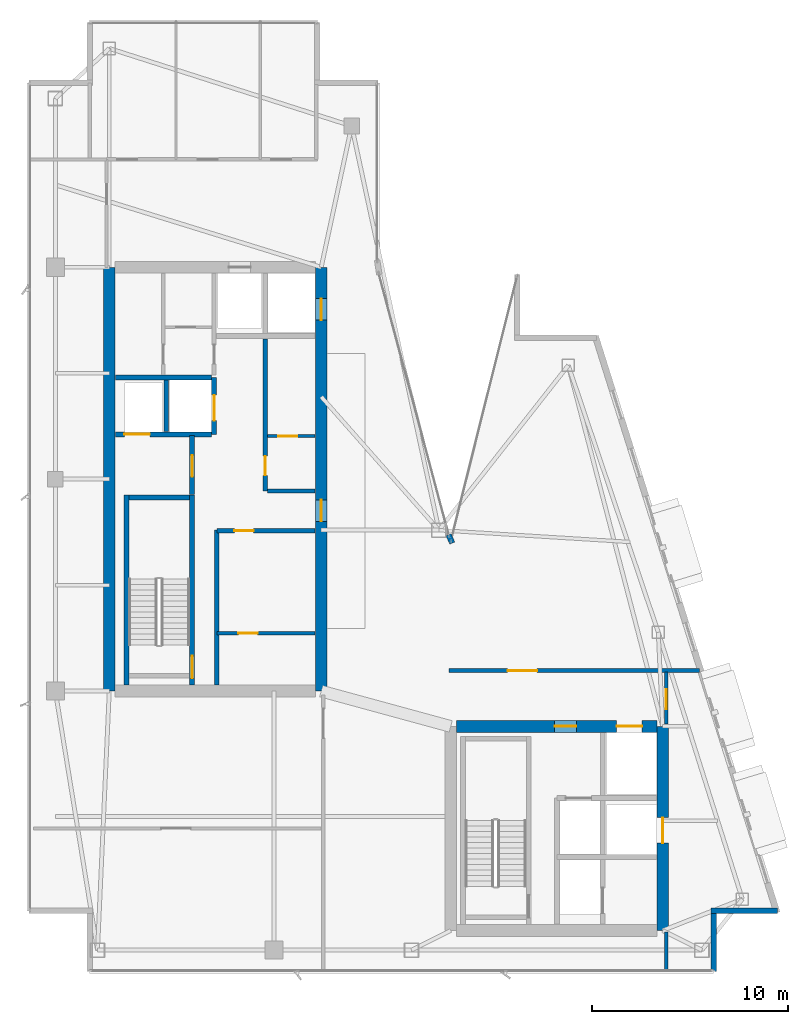
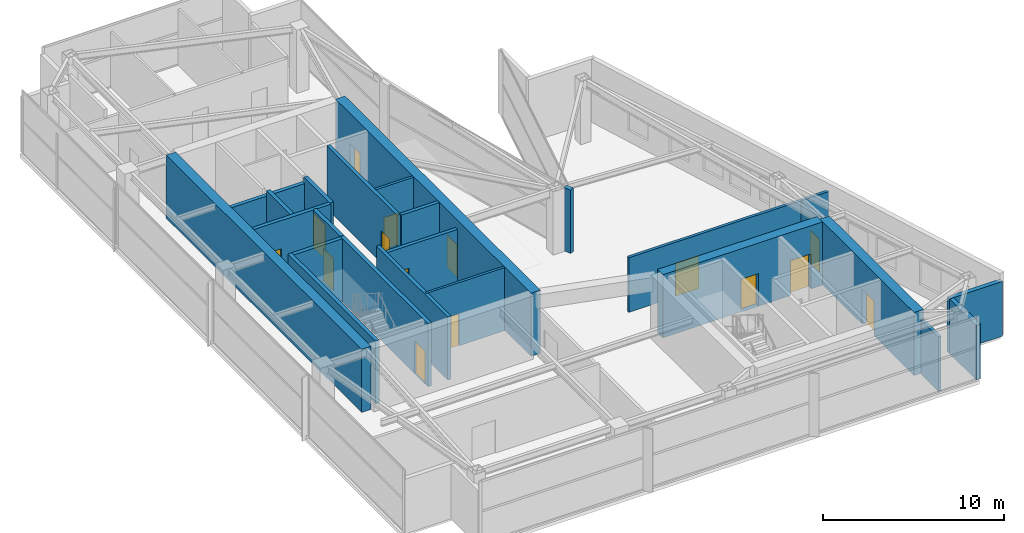
# One storey, part 21 of 25: 24 walls, 15 doors, 15 openings.
"""IFC4 building model written with IfcOpenShell, lengths in metres."""

from ifc_helpers import new_model, si_unit, direction, frame, frame_2d, origin, place, context, subcontext, project, spatial, rectangle, extrude, material, layer, layer_set, type_object, element, fill, save


model = new_model("IFC4")

# Units and contexts
model_context = context("Model", 3, precision=1e-05, world=origin(), true_north=direction((0.0, 1.0)))
body_context = subcontext(model_context, "Body", "Model", "MODEL_VIEW")
ifc_project = project(units=[si_unit("LENGTHUNIT", "METRE"), si_unit("AREAUNIT", "SQUARE_METRE"), si_unit("VOLUMEUNIT", "CUBIC_METRE"), si_unit("PLANEANGLEUNIT", "RADIAN"), si_unit("MASSUNIT", "GRAM", prefix="KILO")], contexts=[model_context])

# Site, building, storey
site_placement = place(None, origin())
site = spatial("IfcSite", under=ifc_project, at=site_placement, CompositionType="ELEMENT")
building_placement = place(site_placement, origin())
building = spatial("IfcBuilding", under=site, at=building_placement, Name="Calvorn Quay Hotel", CompositionType="ELEMENT")
storey_placement = place(building_placement, frame((0.0, 0.0, 311.5)))
storey = spatial("IfcBuildingStorey", under=building, at=storey_placement, Name="L77", CompositionType="ELEMENT", Elevation=311.5)

# Wall
ifc_material_1 = material(Name="Concrete C45", Category="concrete")
ifc_layer_1 = layer(ifc_material_1, 0.60009765625)
ifc_layer_set_1 = layer_set([ifc_layer_1], Name="WL-CORE-600")
wall_type_1 = type_object("IfcWallType", Name="WL-CORE-600", PredefinedType="SHEAR", material=ifc_layer_set_1)
wall_1_placement = place(storey_placement, frame((4.199951171875, 16.800048828125, 0.0), z_axis=(0.0, 0.0, 1.0), x_axis=(0.0, 1.0, 0.0)))
element("IfcWall", 1, at=wall_1_placement, inside=storey, type_object=wall_type_1, Name="West Core Shear Wall W (L77)", PredefinedType="SHEAR", context=body_context, shape_type="SweptSolid", body=[
    extrude(rectangle(XDim=21.599853515625, YDim=0.60009765625, at=frame_2d((10.7998046875, 0.0))), origin(), (0.0, 0.0, 1.0), 4.260009765625),
])

# Wall, openings, doors
wall_2_placement = place(storey_placement, frame((15.0, 16.800048828125, 0.0), z_axis=(0.0, 0.0, 1.0), x_axis=(0.0, 1.0, 0.0)))
wall_2 = element("IfcWall", 2, at=wall_2_placement, inside=storey, type_object=wall_type_1, Name="West Core Shear Wall E (L77)", PredefinedType="SHEAR", context=body_context, shape_type="SweptSolid", body=[
    extrude(rectangle(XDim=21.599853515625, YDim=0.60009765625, at=frame_2d((10.7998046875, 0.0))), origin(), (0.0, 0.0, 1.0), 4.260009765625),
])
opening_1_placement = place(wall_2_placement, frame((8.64990234375, 0.0, 0.0)))
opening_1 = element("IfcOpeningElement", 3, at=opening_1_placement, cuts=wall_2, Name="Opening D-L77-CW1", PredefinedType="OPENING", context=body_context, shape_type="SweptSolid", body=[
    extrude(rectangle(XDim=1.10009765625, YDim=2.199951171875, at=frame_2d((0.550048828125, 1.10009765625))), frame((0.0, 0.31005859375, 0.0), z_axis=(0.0, -1.0, 0.0), x_axis=(1.0, 0.0, 0.0)), (0.0, 0.0, 1.0), 0.6201171875),
])
opening_2_placement = place(wall_2_placement, frame((18.89990234375, 0.0, 0.0)))
opening_2 = element("IfcOpeningElement", 4, at=opening_2_placement, cuts=wall_2, Name="Opening LD-L77-H1", PredefinedType="OPENING", context=body_context, shape_type="SweptSolid", body=[
    extrude(rectangle(XDim=1.10009765625, YDim=2.199951171875, at=frame_2d((0.550048828125, 1.10009765625))), frame((0.0, 0.31005859375, 0.0), z_axis=(0.0, -1.0, 0.0), x_axis=(1.0, 0.0, 0.0)), (0.0, 0.0, 1.0), 0.6201171875),
])
ifc_material_2 = material(Name="Smoke-Sealed Steel Class A Fire Door", Category="steel")
door_type_1 = type_object("IfcDoorType", Name="DR-FFLOBBY-1100", OperationType="NOTDEFINED", PredefinedType="DOOR", material=ifc_material_2)
door_1_placement = place(opening_1_placement, origin())
door_1 = element("IfcDoor", 5, at=door_1_placement, inside=storey, type_object=door_type_1, Name="West Core Vestibule Fire Door (L77)", OperationType="SINGLE_SWING_RIGHT", OverallHeight=2.199951171875, OverallWidth=1.10009765625, PredefinedType="DOOR", context=body_context, shape_type="SweptSolid", body=[
    extrude(rectangle(XDim=1.10009765625, YDim=2.199951171875, at=frame_2d((0.550048828125, 1.10009765625))), frame((0.0, 0.02490234375, 0.0), z_axis=(0.0, -1.0, 0.0), x_axis=(1.0, 0.0, 0.0)), (0.0, 0.0, 1.0), 0.050048828125),
])
fill(opening_1, door_1)
ifc_material_3 = material(Name="Brushed Stainless Steel Sliding Lift Landing Door", Category="steel")
door_type_2 = type_object("IfcDoorType", Name="DR-LIFT-PASS-1100", OperationType="NOTDEFINED", PredefinedType="DOOR", material=ifc_material_3)
door_2_placement = place(opening_2_placement, origin())
door_2 = element("IfcDoor", 6, at=door_2_placement, inside=storey, type_object=door_type_2, Name="High-Rise Lift PL-H1 Landing Door (L77)", OperationType="DOUBLE_DOOR_SLIDING", OverallHeight=2.199951171875, OverallWidth=1.10009765625, PredefinedType="DOOR", context=body_context, shape_type="SweptSolid", body=[
    extrude(rectangle(XDim=1.10009765625, YDim=2.199951171875, at=frame_2d((0.550048828125, 1.10009765625))), frame((0.0, 0.02490234375, 0.0), z_axis=(0.0, -1.0, 0.0), x_axis=(1.0, 0.0, 0.0)), (0.0, 0.0, 1.0), 0.050048828125),
])
fill(opening_2, door_2)

# Wall, opening, door
wall_3_placement = place(storey_placement, frame((32.39990234375, 4.60009765625, 0.0), z_axis=(0.0, 0.0, 1.0), x_axis=(0.0, 1.0, 0.0)))
wall_3 = element("IfcWall", 7, at=wall_3_placement, inside=storey, type_object=wall_type_1, Name="East Core Shear Wall E (L77)", PredefinedType="SHEAR", context=body_context, shape_type="SweptSolid", body=[
    extrude(rectangle(XDim=10.39990234375, YDim=0.60009765625, at=frame_2d((5.199951171875, 0.0))), origin(), (0.0, 0.0, 1.0), 4.260009765625),
])
opening_3_placement = place(wall_3_placement, frame((4.449951171875, 0.0, 0.0)))
opening_3 = element("IfcOpeningElement", 8, at=opening_3_placement, cuts=wall_3, Name="Opening LD-L77-OB2", PredefinedType="OPENING", context=body_context, shape_type="SweptSolid", body=[
    extrude(rectangle(XDim=1.300048828125, YDim=2.35009765625, at=frame_2d((0.64990234375, 1.175048828125))), frame((0.0, 0.31005859375, 0.0), z_axis=(0.0, -1.0, 0.0), x_axis=(1.0, 0.0, 0.0)), (0.0, 0.0, 1.0), 0.6201171875),
])
ifc_material_4 = material(Name="Champagne-Bronze Sliding Express Lift Landing Door")
door_type_3 = type_object("IfcDoorType", Name="DR-LIFT-SHUTTLE-1300", OperationType="NOTDEFINED", PredefinedType="DOOR", material=ifc_material_4)
door_3_placement = place(opening_3_placement, origin())
door_3 = element("IfcDoor", 9, at=door_3_placement, inside=storey, type_object=door_type_3, Name="Observation Shuttle PL-OB2 Landing Door (L77)", OperationType="DOUBLE_DOOR_SLIDING", OverallHeight=2.35009765625, OverallWidth=1.300048828125, PredefinedType="DOOR", context=body_context, shape_type="SweptSolid", body=[
    extrude(rectangle(XDim=1.300048828125, YDim=2.35009765625, at=frame_2d((0.64990234375, 1.175048828125))), frame((0.0, 0.02490234375, 0.0), z_axis=(0.0, -1.0, 0.0), x_axis=(1.0, 0.0, 0.0)), (0.0, 0.0, 1.0), 0.050048828125),
])
fill(opening_3, door_3)

# Wall, openings, doors
wall_4_placement = place(storey_placement, frame((21.89990234375, 15.0, 0.0), z_axis=(0.0, 0.0, 1.0), x_axis=(1.0, 0.0, 0.0)))
wall_4 = element("IfcWall", 10, at=wall_4_placement, inside=storey, type_object=wall_type_1, Name="East Core Shear Wall N (L77)", PredefinedType="SHEAR", context=body_context, shape_type="SweptSolid", body=[
    extrude(rectangle(XDim=10.2001953125, YDim=0.60009765625, at=frame_2d((5.10009765625, 0.0))), origin(), (0.0, 0.0, 1.0), 4.260009765625),
])
opening_4_placement = place(wall_4_placement, frame((5.0, 0.0, 0.0)))
opening_4 = element("IfcOpeningElement", 11, at=opening_4_placement, cuts=wall_4, Name="Opening D-L77-FLE", PredefinedType="OPENING", context=body_context, shape_type="SweptSolid", body=[
    extrude(rectangle(XDim=1.10009765625, YDim=2.199951171875, at=frame_2d((0.550048828125, 1.10009765625))), frame((0.0, 0.31005859375, 0.0), z_axis=(0.0, -1.0, 0.0), x_axis=(1.0, 0.0, 0.0)), (0.0, 0.0, 1.0), 0.6201171875),
])
opening_5_placement = place(wall_4_placement, frame((8.14990234375, 0.0, 0.0)))
opening_5 = element("IfcOpeningElement", 12, at=opening_5_placement, cuts=wall_4, Name="Opening LD-L77-OB1", PredefinedType="OPENING", context=body_context, shape_type="SweptSolid", body=[
    extrude(rectangle(XDim=1.300048828125, YDim=2.35009765625, at=frame_2d((0.64990234375, 1.175048828125))), frame((0.0, 0.31005859375, 0.0), z_axis=(0.0, -1.0, 0.0), x_axis=(1.0, 0.0, 0.0)), (0.0, 0.0, 1.0), 0.6201171875),
])
door_4_placement = place(opening_4_placement, origin())
door_4 = element("IfcDoor", 13, at=door_4_placement, inside=storey, type_object=door_type_1, Name="East Firefighting Lobby Fire Door (L77)", OperationType="SINGLE_SWING_LEFT", OverallHeight=2.199951171875, OverallWidth=1.10009765625, PredefinedType="DOOR", context=body_context, shape_type="SweptSolid", body=[
    extrude(rectangle(XDim=1.10009765625, YDim=2.199951171875, at=frame_2d((0.550048828125, 1.10009765625))), frame((0.0, 0.02490234375, 0.0), z_axis=(0.0, -1.0, 0.0), x_axis=(1.0, 0.0, 0.0)), (0.0, 0.0, 1.0), 0.050048828125),
])
fill(opening_4, door_4)
door_5_placement = place(opening_5_placement, origin())
door_5 = element("IfcDoor", 14, at=door_5_placement, inside=storey, type_object=door_type_3, Name="Observation Shuttle PL-OB1 Landing Door (L77)", OperationType="DOUBLE_DOOR_SLIDING", OverallHeight=2.35009765625, OverallWidth=1.300048828125, PredefinedType="DOOR", context=body_context, shape_type="SweptSolid", body=[
    extrude(rectangle(XDim=1.300048828125, YDim=2.35009765625, at=frame_2d((0.64990234375, 1.175048828125))), frame((0.0, 0.02490234375, 0.0), z_axis=(0.0, -1.0, 0.0), x_axis=(1.0, 0.0, 0.0)), (0.0, 0.0, 1.0), 0.050048828125),
])
fill(opening_5, door_5)

# Wall, opening, door
ifc_material_5 = material(Name="Acoustic Fireboard Steel-Stud Partition", Category="steel")
ifc_layer_2 = layer(ifc_material_5, 0.179931640625)
ifc_layer_set_2 = layer_set([ifc_layer_2], Name="WL-CORR-FIRE-180")
wall_type_2 = type_object("IfcWallType", Name="WL-CORR-FIRE-180", PredefinedType="PARTITIONING", material=ifc_layer_set_2)
wall_5_placement = place(storey_placement, frame((21.5, 17.85009765625, 0.0), z_axis=(0.0, 0.0, 1.0), x_axis=(1.0, 0.0, 0.0)))
wall_5 = element("IfcWall", 15, at=wall_5_placement, inside=storey, type_object=wall_type_2, Name="Partition Wall L77-WL-SK-SE-N", PredefinedType="PARTITIONING", context=body_context, shape_type="SweptSolid", body=[
    extrude(rectangle(XDim=12.780029296875, YDim=0.179931640625, at=frame_2d((6.39013671875, 0.0))), origin(), (0.0, 0.0, 1.0), 3.68994140625),
])
opening_6_placement = place(wall_5_placement, frame((3.0, 0.0, 0.0)))
opening_6 = element("IfcOpeningElement", 16, at=opening_6_placement, cuts=wall_5, Name="Opening D-L77-A2", PredefinedType="OPENING", context=body_context, shape_type="SweptSolid", body=[
    extrude(rectangle(XDim=1.5, YDim=2.219970703125, at=frame_2d((0.75, 1.10986328125))), frame((0.0, 0.099853515625, 0.0), z_axis=(0.0, -1.0, 0.0), x_axis=(1.0, 0.0, 0.0)), (0.0, 0.0, 1.0), 0.199951171875),
])
ifc_material_6 = material(Name="Solid-Core Walnut Double Suite Entry Door")
door_type_4 = type_object("IfcDoorType", Name="DR-SUITE-DBL-1500", OperationType="NOTDEFINED", PredefinedType="DOOR", material=ifc_material_6)
door_6_placement = place(opening_6_placement, origin())
door_6 = element("IfcDoor", 17, at=door_6_placement, inside=storey, type_object=door_type_4, Name="North Gallery Door", OperationType="SINGLE_SWING_LEFT", OverallHeight=2.219970703125, OverallWidth=1.5, PredefinedType="DOOR", context=body_context, shape_type="SweptSolid", body=[
    extrude(rectangle(XDim=1.5, YDim=2.219970703125, at=frame_2d((0.75, 1.10986328125))), frame((0.0, 0.02490234375, 0.0), z_axis=(0.0, -1.0, 0.0), x_axis=(1.0, 0.0, 0.0)), (0.0, 0.0, 1.0), 0.050048828125),
])
fill(opening_6, door_6)

wall_6_placement = place(storey_placement, frame((32.580078125, 15.1201171875, 0.0), z_axis=(0.0, 0.0, 1.0), x_axis=(0.0, 1.0, 0.0)))
wall_6 = element("IfcWall", 18, at=wall_6_placement, inside=storey, type_object=wall_type_2, Name="Partition Wall L77-WL-SK-SE-W", PredefinedType="PARTITIONING", context=body_context, shape_type="SweptSolid", body=[
    extrude(rectangle(XDim=2.659912109375, YDim=0.179931640625, at=frame_2d((1.330078125, 0.0))), origin(), (0.0, 0.0, 1.0), 3.68994140625),
])
opening_7_placement = place(wall_6_placement, frame((0.75, 0.0, 0.0)))
opening_7 = element("IfcOpeningElement", 19, at=opening_7_placement, cuts=wall_6, Name="Opening D-L77-A3", PredefinedType="OPENING", context=body_context, shape_type="SweptSolid", body=[
    extrude(rectangle(XDim=1.02001953125, YDim=2.199951171875, at=frame_2d((0.510009765625, 1.10009765625))), frame((0.0, 0.099853515625, 0.0), z_axis=(0.0, -1.0, 0.0), x_axis=(1.0, 0.0, 0.0)), (0.0, 0.0, 1.0), 0.199951171875),
])
ifc_material_7 = material(Name="Solid-Core Walnut Veneer Hotel Fire Door")
door_type_5 = type_object("IfcDoorType", Name="DR-GUEST-ENTRY-1020", OperationType="NOTDEFINED", PredefinedType="DOOR", material=ifc_material_7)
door_7_placement = place(opening_7_placement, origin())
door_7 = element("IfcDoor", 20, at=door_7_placement, inside=storey, type_object=door_type_5, Name="East Lounge Door", OperationType="SINGLE_SWING_RIGHT", OverallHeight=2.199951171875, OverallWidth=1.02001953125, PredefinedType="DOOR", context=body_context, shape_type="SweptSolid", body=[
    extrude(rectangle(XDim=1.02001953125, YDim=2.199951171875, at=frame_2d((0.510009765625, 1.10009765625))), frame((0.0, 0.02490234375, 0.0), z_axis=(0.0, -1.0, 0.0), x_axis=(1.0, 0.0, 0.0)), (0.0, 0.0, 1.0), 0.050048828125),
])
fill(opening_7, door_7)

# Walls
wall_7_placement = place(storey_placement, frame((32.580078125, 2.60009765625, 0.0), z_axis=(0.0, 0.0, 1.0), x_axis=(0.0, 1.0, 0.0)))
element("IfcWall", 21, at=wall_7_placement, inside=storey, type_object=wall_type_2, Name="Partition Wall L77-WL-SK-SE-WS", PredefinedType="PARTITIONING", context=body_context, shape_type="SweptSolid", body=[
    extrude(rectangle(XDim=1.919921875, YDim=0.179931640625, at=frame_2d((0.9599609375, 0.0))), origin(), (0.0, 0.0, 1.0), 3.68994140625),
])
ifc_material_8 = material(Name="Concrete C40", Category="concrete")
ifc_layer_3 = layer(ifc_material_8, 0.320068359375)
ifc_layer_set_3 = layer_set([ifc_layer_3], Name="WL-EXT-SPANDREL-320")
wall_type_3 = type_object("IfcWallType", Name="WL-EXT-SPANDREL-320", PredefinedType="SOLIDWALL", material=ifc_layer_set_3)
wall_8_placement = place(storey_placement, frame((21.679931640625, 24.340087890625, 0.0), z_axis=(0.0, 0.0, 1.0), x_axis=(-0.40758134973, 0.913168901875, 0.0)))
element("IfcWall", 22, at=wall_8_placement, inside=storey, type_object=wall_type_3, Name="Inner Court Corner Pier L77-ICJ1", PredefinedType="SOLIDWALL", context=body_context, shape_type="SweptSolid", body=[
    extrude(rectangle(XDim=0.470703125, YDim=0.280029296875, at=frame_2d((0.2353515625, 0.0))), origin(), (0.0, 0.0, 1.0), 4.260009765625),
])
wall_9_placement = place(storey_placement, frame((35.0, 2.52001953125, 0.0), z_axis=(0.0, 0.0, 1.0), x_axis=(0.0, 1.0, 0.0)))
element("IfcWall", 23, at=wall_9_placement, inside=storey, type_object=wall_type_3, Name="Notched Corner Spandrel L77-SE1", PredefinedType="SOLIDWALL", context=body_context, shape_type="SweptSolid", body=[
    extrude(rectangle(XDim=2.93994140625, YDim=0.280029296875, at=frame_2d((1.469970703125, 0.0))), origin(), (0.0, 0.0, 1.0), 3.68994140625),
])
wall_10_placement = place(storey_placement, frame((34.860107421875, 5.60009765625, 0.0), z_axis=(0.0, 0.0, 1.0), x_axis=(1.0, 0.0, 0.0)))
element("IfcWall", 24, at=wall_10_placement, inside=storey, type_object=wall_type_3, Name="Notched Corner Spandrel L77-SE2", PredefinedType="SOLIDWALL", context=body_context, shape_type="SweptSolid", body=[
    extrude(rectangle(XDim=3.3798828125, YDim=0.280029296875, at=frame_2d((1.68994140625, 0.0))), origin(), (0.0, 0.0, 1.0), 3.68994140625),
])

# Wall, opening, door
ifc_material_9 = material(Name="Double-Stud Acoustic Gypsum Partition")
ifc_layer_4 = layer(ifc_material_9, 0.159912109375)
ifc_layer_set_4 = layer_set([ifc_layer_4], Name="WL-INTERSUITE-160")
wall_type_4 = type_object("IfcWallType", Name="WL-INTERSUITE-160", PredefinedType="PARTITIONING", material=ifc_layer_set_4)
wall_11_placement = place(storey_placement, frame((9.679931640625, 19.75, 0.0), z_axis=(0.0, 0.0, 1.0), x_axis=(1.0, 0.0, 0.0)))
wall_11 = element("IfcWall", 25, at=wall_11_placement, inside=storey, type_object=wall_type_4, Name="Partition Wall L77-WL-CWW-FR-SPLIT", PredefinedType="PARTITIONING", context=body_context, shape_type="SweptSolid", body=[
    extrude(rectangle(XDim=5.0, YDim=0.159912109375, at=frame_2d((2.5, 0.0))), origin(), (0.0, 0.0, 1.0), 4.260009765625),
])
opening_8_placement = place(wall_11_placement, frame((1.10009765625, 0.0, 0.0)))
opening_8 = element("IfcOpeningElement", 26, at=opening_8_placement, cuts=wall_11, Name="Opening D-L77-FRL1", PredefinedType="OPENING", context=body_context, shape_type="SweptSolid", body=[
    extrude(rectangle(XDim=0.97998046875, YDim=2.14990234375, at=frame_2d((0.489990234375, 1.074951171875))), frame((0.0, 0.08984375, 0.0), z_axis=(0.0, -1.0, 0.0), x_axis=(1.0, 0.0, 0.0)), (0.0, 0.0, 1.0), 0.179931640625),
])
ifc_material_10 = material(Name="Painted Steel Housekeeping/Riser Fire Door", Category="steel")
door_type_6 = type_object("IfcDoorType", Name="DR-SERVICE-980", OperationType="NOTDEFINED", PredefinedType="DOOR", material=ifc_material_10)
door_8_placement = place(opening_8_placement, origin())
door_8 = element("IfcDoor", 27, at=door_8_placement, inside=storey, type_object=door_type_6, Name="Linen Store Room Door (L77)", OperationType="SINGLE_SWING_LEFT", OverallHeight=2.14990234375, OverallWidth=0.97998046875, PredefinedType="DOOR", context=body_context, shape_type="SweptSolid", body=[
    extrude(rectangle(XDim=0.97998046875, YDim=2.14990234375, at=frame_2d((0.489990234375, 1.074951171875))), frame((0.0, 0.02490234375, 0.0), z_axis=(0.0, -1.0, 0.0), x_axis=(1.0, 0.0, 0.0)), (0.0, 0.0, 1.0), 0.050048828125),
])
fill(opening_8, door_8)

wall_12_placement = place(storey_placement, frame((12.25, 29.800048828125, 0.0), z_axis=(0.0, 0.0, 1.0), x_axis=(1.0, 0.0, 0.0)))
wall_12 = element("IfcWall", 28, at=wall_12_placement, inside=storey, type_object=wall_type_4, Name="Partition Wall L77-WL-CWW-FM-SPLIT", PredefinedType="PARTITIONING", context=body_context, shape_type="SweptSolid", body=[
    extrude(rectangle(XDim=2.429931640625, YDim=0.159912109375, at=frame_2d((1.21484375, 0.0))), origin(), (0.0, 0.0, 1.0), 4.260009765625),
])
opening_9_placement = place(wall_12_placement, frame((0.550048828125, 0.0, 0.0)))
opening_9 = element("IfcOpeningElement", 29, at=opening_9_placement, cuts=wall_12, Name="Opening D-L77-FM2", PredefinedType="OPENING", context=body_context, shape_type="SweptSolid", body=[
    extrude(rectangle(XDim=0.97998046875, YDim=2.14990234375, at=frame_2d((0.489990234375, 1.074951171875))), frame((0.0, 0.08984375, 0.0), z_axis=(0.0, -1.0, 0.0), x_axis=(1.0, 0.0, 0.0)), (0.0, 0.0, 1.0), 0.179931640625),
])
door_9_placement = place(opening_9_placement, origin())
door_9 = element("IfcDoor", 30, at=door_9_placement, inside=storey, type_object=door_type_6, Name="Comms Room Door (L77)", OperationType="SINGLE_SWING_LEFT", OverallHeight=2.14990234375, OverallWidth=0.97998046875, PredefinedType="DOOR", context=body_context, shape_type="SweptSolid", body=[
    extrude(rectangle(XDim=0.97998046875, YDim=2.14990234375, at=frame_2d((0.489990234375, 1.074951171875))), frame((0.0, 0.02490234375, 0.0), z_axis=(0.0, -1.0, 0.0), x_axis=(1.0, 0.0, 0.0)), (0.0, 0.0, 1.0), 0.050048828125),
])
fill(opening_9, door_9)

# Wall
ifc_material_11 = material(Name="Autoclaved Aerated Masonry Block", Category="masonry")
ifc_layer_5 = layer(ifc_material_11, 0.219970703125)
ifc_layer_set_5 = layer_set([ifc_layer_5], Name="WL-LOBBY-FIRE-220")
wall_type_5 = type_object("IfcWallType", Name="WL-LOBBY-FIRE-220", PredefinedType="SOLIDWALL", material=ifc_layer_set_5)
wall_13_placement = place(storey_placement, frame((9.679931640625, 17.1201171875, 0.0), z_axis=(0.0, 0.0, 1.0), x_axis=(0.0, 1.0, 0.0)))
element("IfcWall", 31, at=wall_13_placement, inside=storey, type_object=wall_type_5, Name="Partition Wall L77-WL-CWW-STW-HALL-E", PredefinedType="SOLIDWALL", context=body_context, shape_type="SweptSolid", body=[
    extrude(rectangle(XDim=7.8798828125, YDim=0.219970703125, at=frame_2d((3.93994140625, 0.0))), origin(), (0.0, 0.0, 1.0), 4.260009765625),
])

# Wall, opening, door
wall_14_placement = place(storey_placement, frame((9.679931640625, 24.969970703125, 0.0), z_axis=(0.0, 0.0, 1.0), x_axis=(1.0, 0.0, 0.0)))
wall_14 = element("IfcWall", 32, at=wall_14_placement, inside=storey, type_object=wall_type_5, Name="Partition Wall L77-WL-CWW-FR-N", PredefinedType="SOLIDWALL", context=body_context, shape_type="SweptSolid", body=[
    extrude(rectangle(XDim=5.0, YDim=0.219970703125, at=frame_2d((2.5, 0.0))), origin(), (0.0, 0.0, 1.0), 3.68994140625),
])
opening_10_placement = place(wall_14_placement, frame((0.89990234375, 0.0, 0.0)))
opening_10 = element("IfcOpeningElement", 33, at=opening_10_placement, cuts=wall_14, Name="Opening D-L77-FRL2", PredefinedType="OPENING", context=body_context, shape_type="SweptSolid", body=[
    extrude(rectangle(XDim=0.97998046875, YDim=2.14990234375, at=frame_2d((0.489990234375, 1.074951171875))), frame((0.0, 0.119873046875, 0.0), z_axis=(0.0, -1.0, 0.0), x_axis=(1.0, 0.0, 0.0)), (0.0, 0.0, 1.0), 0.239990234375),
])
door_10_placement = place(opening_10_placement, origin())
door_10 = element("IfcDoor", 34, at=door_10_placement, inside=storey, type_object=door_type_6, Name="Beverage Pantry Door (L77)", OperationType="SINGLE_SWING_RIGHT", OverallHeight=2.14990234375, OverallWidth=0.97998046875, PredefinedType="DOOR", context=body_context, shape_type="SweptSolid", body=[
    extrude(rectangle(XDim=0.97998046875, YDim=2.14990234375, at=frame_2d((0.489990234375, 1.074951171875))), frame((0.0, 0.02490234375, 0.0), z_axis=(0.0, -1.0, 0.0), x_axis=(1.0, 0.0, 0.0)), (0.0, 0.0, 1.0), 0.050048828125),
])
fill(opening_10, door_10)

# Wall
wall_15_placement = place(storey_placement, frame((12.25, 27.0, 0.0), z_axis=(0.0, 0.0, 1.0), x_axis=(1.0, 0.0, 0.0)))
element("IfcWall", 35, at=wall_15_placement, inside=storey, type_object=wall_type_5, Name="Partition Wall L77-WL-CWW-FM-S", PredefinedType="SOLIDWALL", context=body_context, shape_type="SweptSolid", body=[
    extrude(rectangle(XDim=2.429931640625, YDim=0.219970703125, at=frame_2d((1.21484375, 0.0))), origin(), (0.0, 0.0, 1.0), 4.260009765625),
])

# Wall, opening, door
wall_16_placement = place(storey_placement, frame((12.14990234375, 27.0, 0.0), z_axis=(0.0, 0.0, 1.0), x_axis=(0.0, 1.0, 0.0)))
wall_16 = element("IfcWall", 36, at=wall_16_placement, inside=storey, type_object=wall_type_5, Name="Partition Wall L77-WL-CWW-FM-W", PredefinedType="SOLIDWALL", context=body_context, shape_type="SweptSolid", body=[
    extrude(rectangle(XDim=7.75, YDim=0.219970703125, at=frame_2d((3.875, 0.0))), origin(), (0.0, 0.0, 1.0), 4.260009765625),
])
opening_11_placement = place(wall_16_placement, frame((0.800048828125, 0.0, 0.0)))
opening_11 = element("IfcOpeningElement", 37, at=opening_11_placement, cuts=wall_16, Name="Opening D-L77-FM1", PredefinedType="OPENING", context=body_context, shape_type="SweptSolid", body=[
    extrude(rectangle(XDim=0.97998046875, YDim=2.14990234375, at=frame_2d((0.489990234375, 1.074951171875))), frame((0.0, 0.119873046875, 0.0), z_axis=(0.0, -1.0, 0.0), x_axis=(1.0, 0.0, 0.0)), (0.0, 0.0, 1.0), 0.239990234375),
])
door_11_placement = place(opening_11_placement, origin())
door_11 = element("IfcDoor", 38, at=door_11_placement, inside=storey, type_object=door_type_6, Name="Butler Pantry Door (L77)", OperationType="SINGLE_SWING_RIGHT", OverallHeight=2.14990234375, OverallWidth=0.97998046875, PredefinedType="DOOR", context=body_context, shape_type="SweptSolid", body=[
    extrude(rectangle(XDim=0.97998046875, YDim=2.14990234375, at=frame_2d((0.489990234375, 1.074951171875))), frame((0.0, 0.02490234375, 0.0), z_axis=(0.0, -1.0, 0.0), x_axis=(1.0, 0.0, 0.0)), (0.0, 0.0, 1.0), 0.050048828125),
])
fill(opening_11, door_11)

# Wall
ifc_material_12 = material(Name="Concrete C40", Category="concrete")
ifc_layer_6 = layer(ifc_material_12, 0.239990234375)
ifc_layer_set_6 = layer_set([ifc_layer_6], Name="WL-SHAFT-240")
wall_type_6 = type_object("IfcWallType", Name="WL-SHAFT-240", PredefinedType="SOLIDWALL", material=ifc_layer_set_6)
wall_17_placement = place(storey_placement, frame((5.080078125, 17.10009765625, 0.0), z_axis=(0.0, 0.0, 1.0), x_axis=(0.0, 1.0, 0.0)))
element("IfcWall", 39, at=wall_17_placement, inside=storey, type_object=wall_type_6, Name="Stair STW Shaft Wall W (L77)", PredefinedType="SOLIDWALL", context=body_context, shape_type="SweptSolid", body=[
    extrude(rectangle(XDim=9.68994140625, YDim=0.239990234375, at=frame_2d((4.844970703125, 0.0))), origin(), (0.0, 0.0, 1.0), 4.260009765625),
])

# Wall, opening, door
wall_18_placement = place(storey_placement, frame((8.419921875, 17.10009765625, 0.0), z_axis=(0.0, 0.0, 1.0), x_axis=(0.0, 1.0, 0.0)))
wall_18 = element("IfcWall", 40, at=wall_18_placement, inside=storey, type_object=wall_type_6, Name="Stair STW Shaft Wall E (L77)", PredefinedType="SOLIDWALL", context=body_context, shape_type="SweptSolid", body=[
    extrude(rectangle(XDim=9.68994140625, YDim=0.239990234375, at=frame_2d((4.844970703125, 0.0))), origin(), (0.0, 0.0, 1.0), 4.260009765625),
])
opening_12_placement = place(wall_18_placement, frame((0.35009765625, 0.0, 0.0)))
opening_12 = element("IfcOpeningElement", 41, at=opening_12_placement, cuts=wall_18, Name="Opening D-L77-STW", PredefinedType="OPENING", context=body_context, shape_type="SweptSolid", body=[
    extrude(rectangle(XDim=1.14990234375, YDim=2.199951171875, at=frame_2d((0.574951171875, 1.10009765625))), frame((0.0, 0.1298828125, 0.0), z_axis=(0.0, -1.0, 0.0), x_axis=(1.0, 0.0, 0.0)), (0.0, 0.0, 1.0), 0.260009765625),
])
ifc_material_13 = material(Name="Galvanised Steel Class A Fire Door", Category="steel")
door_type_7 = type_object("IfcDoorType", Name="DR-STAIR-SMOKE-1150", OperationType="NOTDEFINED", PredefinedType="DOOR", material=ifc_material_13)
door_12_placement = place(opening_12_placement, origin())
door_12 = element("IfcDoor", 42, at=door_12_placement, inside=storey, type_object=door_type_7, Name="Stair ST-W Fire Door (L77)", OperationType="SINGLE_SWING_LEFT", OverallHeight=2.199951171875, OverallWidth=1.14990234375, PredefinedType="DOOR", context=body_context, shape_type="SweptSolid", body=[
    extrude(rectangle(XDim=1.14990234375, YDim=2.199951171875, at=frame_2d((0.574951171875, 1.10009765625))), frame((0.0, 0.02490234375, 0.0), z_axis=(0.0, -1.0, 0.0), x_axis=(1.0, 0.0, 0.0)), (0.0, 0.0, 1.0), 0.050048828125),
])
fill(opening_12, door_12)

# Wall
wall_19_placement = place(storey_placement, frame((5.199951171875, 26.669921875, 0.0), z_axis=(0.0, 0.0, 1.0), x_axis=(1.0, 0.0, 0.0)))
element("IfcWall", 43, at=wall_19_placement, inside=storey, type_object=wall_type_6, Name="Stair STW Shaft Wall N (L77)", PredefinedType="SOLIDWALL", context=body_context, shape_type="SweptSolid", body=[
    extrude(rectangle(XDim=3.10009765625, YDim=0.239990234375, at=frame_2d((1.550048828125, 0.0))), origin(), (0.0, 0.0, 1.0), 4.260009765625),
])

# Wall, opening, door
wall_20_placement = place(storey_placement, frame((8.419921875, 26.820068359375, 0.0), z_axis=(0.0, 0.0, 1.0), x_axis=(0.0, 1.0, 0.0)))
wall_20 = element("IfcWall", 44, at=wall_20_placement, inside=storey, type_object=wall_type_6, Name="Partition Wall L77-WL-CWW-FFL-E", PredefinedType="SOLIDWALL", context=body_context, shape_type="SweptSolid", body=[
    extrude(rectangle(XDim=3.0, YDim=0.239990234375, at=frame_2d((1.5, 0.0))), origin(), (0.0, 0.0, 1.0), 4.260009765625),
])
opening_13_placement = place(wall_20_placement, frame((0.89990234375, 0.0, 0.0)))
opening_13 = element("IfcOpeningElement", 45, at=opening_13_placement, cuts=wall_20, Name="Opening D-L77-FLW", PredefinedType="OPENING", context=body_context, shape_type="SweptSolid", body=[
    extrude(rectangle(XDim=1.10009765625, YDim=2.199951171875, at=frame_2d((0.550048828125, 1.10009765625))), frame((0.0, 0.1298828125, 0.0), z_axis=(0.0, -1.0, 0.0), x_axis=(1.0, 0.0, 0.0)), (0.0, 0.0, 1.0), 0.260009765625),
])
door_13_placement = place(opening_13_placement, origin())
door_13 = element("IfcDoor", 46, at=door_13_placement, inside=storey, type_object=door_type_1, Name="West Firefighting Lobby Fire Door (L77)", OperationType="SINGLE_SWING_RIGHT", OverallHeight=2.199951171875, OverallWidth=1.10009765625, PredefinedType="DOOR", context=body_context, shape_type="SweptSolid", body=[
    extrude(rectangle(XDim=1.10009765625, YDim=2.199951171875, at=frame_2d((0.550048828125, 1.10009765625))), frame((0.0, 0.02490234375, 0.0), z_axis=(0.0, -1.0, 0.0), x_axis=(1.0, 0.0, 0.0)), (0.0, 0.0, 1.0), 0.050048828125),
])
fill(opening_13, door_13)

wall_21_placement = place(storey_placement, frame((4.52001953125, 29.8798828125, 0.0), z_axis=(0.0, 0.0, 1.0), x_axis=(1.0, 0.0, 0.0)))
wall_21 = element("IfcWall", 47, at=wall_21_placement, inside=storey, type_object=wall_type_6, Name="Partition Wall L77-WL-CWW-FLW-S", PredefinedType="SOLIDWALL", context=body_context, shape_type="SweptSolid", body=[
    extrude(rectangle(XDim=4.89990234375, YDim=0.239990234375, at=frame_2d((2.449951171875, 0.0))), origin(), (0.0, 0.0, 1.0), 4.260009765625),
])
opening_14_placement = place(wall_21_placement, frame((0.449951171875, 0.0, 0.0)))
opening_14 = element("IfcOpeningElement", 48, at=opening_14_placement, cuts=wall_21, Name="Opening LD-L77-FLW1", PredefinedType="OPENING", context=body_context, shape_type="SweptSolid", body=[
    extrude(rectangle(XDim=1.300048828125, YDim=2.35009765625, at=frame_2d((0.64990234375, 1.175048828125))), frame((0.0, 0.1298828125, 0.0), z_axis=(0.0, -1.0, 0.0), x_axis=(1.0, 0.0, 0.0)), (0.0, 0.0, 1.0), 0.260009765625),
])
door_14_placement = place(opening_14_placement, origin())
door_14 = element("IfcDoor", 49, at=door_14_placement, inside=storey, type_object=door_type_3, Name="Firefighting Lift FL-W1 Landing Door (L77)", OperationType="DOUBLE_DOOR_SLIDING", OverallHeight=2.35009765625, OverallWidth=1.300048828125, PredefinedType="DOOR", context=body_context, shape_type="SweptSolid", body=[
    extrude(rectangle(XDim=1.300048828125, YDim=2.35009765625, at=frame_2d((0.64990234375, 1.175048828125))), frame((0.0, 0.02490234375, 0.0), z_axis=(0.0, -1.0, 0.0), x_axis=(1.0, 0.0, 0.0)), (0.0, 0.0, 1.0), 0.050048828125),
])
fill(opening_14, door_14)

# Wall
wall_22_placement = place(storey_placement, frame((7.10009765625, 30.02001953125, 0.0), z_axis=(0.0, 0.0, 1.0), x_axis=(0.0, 1.0, 0.0)))
element("IfcWall", 50, at=wall_22_placement, inside=storey, type_object=wall_type_6, Name="Partition Wall L77-WL-CWW-FLW-DIV", PredefinedType="SOLIDWALL", context=body_context, shape_type="SweptSolid", body=[
    extrude(rectangle(XDim=2.6298828125, YDim=0.239990234375, at=frame_2d((1.31494140625, 0.0))), origin(), (0.0, 0.0, 1.0), 4.260009765625),
])

# Wall, opening, door
wall_23_placement = place(storey_placement, frame((9.5400390625, 29.8798828125, 0.0), z_axis=(0.0, 0.0, 1.0), x_axis=(0.0, 1.0, 0.0)))
wall_23 = element("IfcWall", 51, at=wall_23_placement, inside=storey, type_object=wall_type_6, Name="Partition Wall L77-WL-CWW-SLW-E", PredefinedType="SOLIDWALL", context=body_context, shape_type="SweptSolid", body=[
    extrude(rectangle(XDim=2.900146484375, YDim=0.239990234375, at=frame_2d((1.4501953125, 0.0))), origin(), (0.0, 0.0, 1.0), 4.260009765625),
])
opening_15_placement = place(wall_23_placement, frame((0.699951171875, 0.0, 0.0)))
opening_15 = element("IfcOpeningElement", 52, at=opening_15_placement, cuts=wall_23, Name="Opening LD-L77-SLW1", PredefinedType="OPENING", context=body_context, shape_type="SweptSolid", body=[
    extrude(rectangle(XDim=1.300048828125, YDim=2.35009765625, at=frame_2d((0.64990234375, 1.175048828125))), frame((0.0, 0.1298828125, 0.0), z_axis=(0.0, -1.0, 0.0), x_axis=(1.0, 0.0, 0.0)), (0.0, 0.0, 1.0), 0.260009765625),
])
door_15_placement = place(opening_15_placement, origin())
door_15 = element("IfcDoor", 53, at=door_15_placement, inside=storey, type_object=door_type_3, Name="Service Lift SL-W1 Landing Door (L77)", OperationType="DOUBLE_DOOR_SLIDING", OverallHeight=2.35009765625, OverallWidth=1.300048828125, PredefinedType="DOOR", context=body_context, shape_type="SweptSolid", body=[
    extrude(rectangle(XDim=1.300048828125, YDim=2.35009765625, at=frame_2d((0.64990234375, 1.175048828125))), frame((0.0, 0.02490234375, 0.0), z_axis=(0.0, -1.0, 0.0), x_axis=(1.0, 0.0, 0.0)), (0.0, 0.0, 1.0), 0.050048828125),
])
fill(opening_15, door_15)

# Wall
wall_24_placement = place(storey_placement, frame((4.52001953125, 32.780029296875, 0.0), z_axis=(0.0, 0.0, 1.0), x_axis=(1.0, 0.0, 0.0)))
element("IfcWall", 54, at=wall_24_placement, inside=storey, type_object=wall_type_6, Name="Partition Wall L77-WL-CWW-SLW-N", PredefinedType="SOLIDWALL", context=body_context, shape_type="SweptSolid", body=[
    extrude(rectangle(XDim=4.89990234375, YDim=0.239990234375, at=frame_2d((2.449951171875, 0.0))), origin(), (0.0, 0.0, 1.0), 3.889892578125),
])

save(model, "model.ifc")
